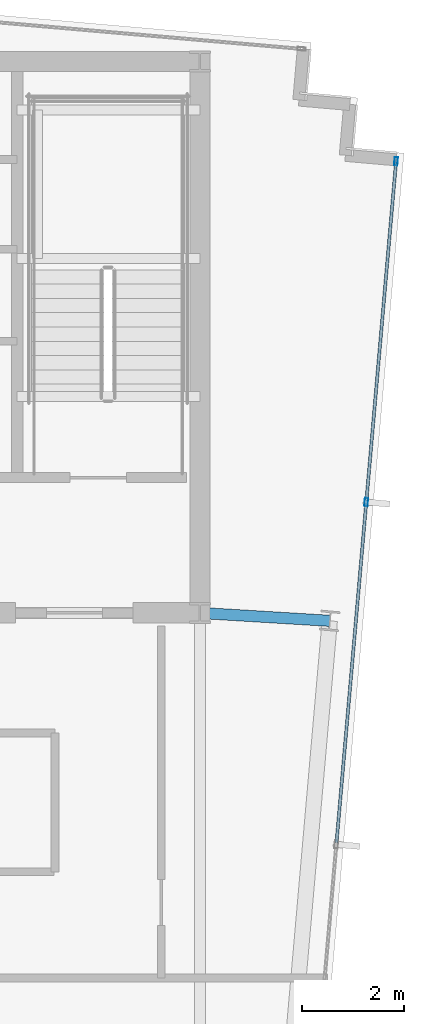
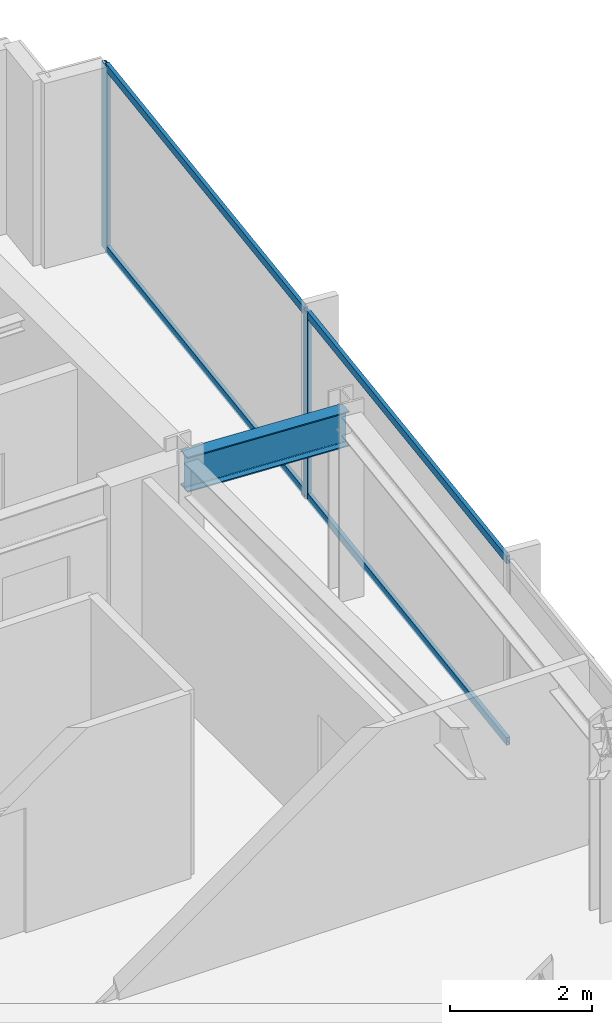
# One storey, part 21 of 32: 6 members, 1 beam, 1 element without a shape of its own.
"""IFC4 building model written with IfcOpenShell, lengths in metres."""

from ifc_helpers import new_model, si_unit, direction, frame, origin, origin_2d, place, context, subcontext, project, spatial, hollow_rectangle, i_section, extrude, material, material_profile, profile_set, type_object, element, aggregate, save


model = new_model("IFC4")

# Units and contexts
model_context = context("Model", 3, precision=1e-05, world=origin(), true_north=direction((0.0, 1.0)))
body_context = subcontext(model_context, "Body", "Model", "MODEL_VIEW")
ifc_project = project(units=[si_unit("LENGTHUNIT", "METRE"), si_unit("AREAUNIT", "SQUARE_METRE"), si_unit("VOLUMEUNIT", "CUBIC_METRE"), si_unit("PLANEANGLEUNIT", "RADIAN"), si_unit("MASSUNIT", "GRAM", prefix="KILO")], contexts=[model_context])

# Site, building, storey
site_placement = place(None, origin())
site = spatial("IfcSite", under=ifc_project, at=site_placement, CompositionType="ELEMENT")
building_placement = place(site_placement, origin())
building = spatial("IfcBuilding", under=site, at=building_placement, Name="Yelkora Congress Tower", CompositionType="ELEMENT")
storey_placement = place(building_placement, frame((0.0, 0.0, 265.89990234375)))
storey = spatial("IfcBuildingStorey", under=building, at=storey_placement, Name="L74", CompositionType="ELEMENT", Elevation=265.89990234375)

# Beam
ifc_material_1 = material(Name="Steel S355J2", Category="steel")
ifc_material_profile_1 = material_profile(ifc_material_1, i_section(OverallWidth=0.219970703125, OverallDepth=0.60009765625, WebThickness=0.011962890625, FlangeThickness=0.01904296875, FilletRadius=0.02392578125, at=origin_2d()), Name="IPE 600")
ifc_profile_set_1 = profile_set([ifc_material_profile_1], Name="Steel S355J2")
beam_type = type_object("IfcBeamType", Name="BM-GIRD-IPE600", PredefinedType="BEAM", material=ifc_profile_set_1)
beam_placement = place(storey_placement, frame((56.302001953125, 35.24560546875, 2.880126953125), z_axis=(-0.99816287892, 0.060587681471, 0.0), x_axis=(-0.060587681471, -0.99816287892, 0.0)))
element("IfcBeam", 1, at=beam_placement, inside=storey, type_object=beam_type, Name="L74 Primary Frame Girder E02", PredefinedType="BEAM", context=body_context, shape_type="SweptSolid", body=[
    extrude(i_section(OverallWidth=0.219970703125, OverallDepth=0.60009765625, WebThickness=0.011962890625, FlangeThickness=0.01904296875, FilletRadius=0.02392578125, at=origin_2d()), origin(), (0.0, 0.0, 1.0), 2.546630859375),
])

# Curtain wall, members
ifc_material_2 = material(Name="Anodised aluminium and insulated glass", Category="aluminium")
curtain_wall_type = type_object("IfcCurtainWallType", Name="CW-SYS-B5", PredefinedType="NOTDEFINED", material=ifc_material_2)
curtain_wall_placement = place(storey_placement, origin())
curtain_wall = element("IfcCurtainWall", 2, at=curtain_wall_placement, inside=storey, type_object=curtain_wall_type, Name="L74 Unitised Curtain Wall 15", PredefinedType="NOTDEFINED")
ifc_material_3 = material(Name="Anodised aluminium 6063-T6", Category="aluminium")
ifc_material_profile_2 = material_profile(ifc_material_3, hollow_rectangle(XDim=0.06494140625, YDim=0.159912109375, WallThickness=0.00390625, at=origin_2d()), Name="ALU 65x160x4")
ifc_profile_set_2 = profile_set([ifc_material_profile_2], Name="Anodised aluminium 6063-T6")
member_type_1 = type_object("IfcMemberType", Name="MEM-ML-B5", PredefinedType="MULLION", material=ifc_profile_set_2)
member_1_placement = place(storey_placement, frame((57.601318359375, 44.243896484375, 0.0), z_axis=(0.0, 0.0, 1.0), x_axis=(0.996194463398, -0.087158425264, 0.0)))
member_1 = element("IfcMember", 3, at=member_1_placement, type_object=member_type_1, Name="CW-B5 mullion 1", PredefinedType="MULLION", context=body_context, shape_type="SweptSolid", body=[
    extrude(hollow_rectangle(XDim=0.06494140625, YDim=0.159912109375, WallThickness=0.00390625, at=origin_2d()), origin(), (0.0, 0.0, 1.0), 3.18017578125),
])
member_2_placement = place(storey_placement, frame((57.017578125, 37.572021484375, 0.0), z_axis=(0.0, 0.0, 1.0), x_axis=(0.996194463398, -0.087158425264, 0.0)))
member_2 = element("IfcMember", 4, at=member_2_placement, type_object=member_type_1, Name="CW-B5 mullion 2", PredefinedType="MULLION", context=body_context, shape_type="SweptSolid", body=[
    extrude(hollow_rectangle(XDim=0.06494140625, YDim=0.159912109375, WallThickness=0.00390625, at=origin_2d()), origin(), (0.0, 0.0, 1.0), 3.18017578125),
])
ifc_material_profile_3 = material_profile(ifc_material_3, hollow_rectangle(XDim=0.06005859375, YDim=0.1298828125, WallThickness=0.00390625, at=origin_2d()), Name="ALU 60x130x4")
ifc_profile_set_3 = profile_set([ifc_material_profile_3], Name="Anodised aluminium 6063-T6")
member_type_2 = type_object("IfcMemberType", Name="MEM-TR-B5", PredefinedType="USERDEFINED", material=ifc_profile_set_3)
member_3_placement = place(storey_placement, frame((57.598388671875, 44.21142578125, 0.030029296875), z_axis=(-0.08716649365, -0.996193757451, 0.0), x_axis=(0.996193757451, -0.08716649365, 0.0)))
member_3 = element("IfcMember", 5, at=member_3_placement, type_object=member_type_2, Name="CW-B5 transom 1.1", ObjectType="TRANSOM", PredefinedType="USERDEFINED", context=body_context, shape_type="SweptSolid", body=[
    extrude(hollow_rectangle(XDim=0.06005859375, YDim=0.1298828125, WallThickness=0.00390625, at=origin_2d()), origin(), (0.0, 0.0, 1.0), 6.63232421875),
])
member_4_placement = place(storey_placement, frame((57.598388671875, 44.21142578125, 3.150146484375), z_axis=(-0.08716649365, -0.996193757451, 0.0), x_axis=(0.996193757451, -0.08716649365, 0.0)))
member_4 = element("IfcMember", 6, at=member_4_placement, type_object=member_type_2, Name="CW-B5 transom 1.2", ObjectType="TRANSOM", PredefinedType="USERDEFINED", context=body_context, shape_type="SweptSolid", body=[
    extrude(hollow_rectangle(XDim=0.06005859375, YDim=0.1298828125, WallThickness=0.00390625, at=origin_2d()), origin(), (0.0, 0.0, 1.0), 6.63232421875),
])
member_5_placement = place(storey_placement, frame((57.0146484375, 37.53955078125, 0.030029296875), z_axis=(-0.087143321513, -0.996195784731, 0.0), x_axis=(0.996195784731, -0.087143321513, 0.0)))
member_5 = element("IfcMember", 7, at=member_5_placement, type_object=member_type_2, Name="CW-B5 transom 2.1", ObjectType="TRANSOM", PredefinedType="USERDEFINED", context=body_context, shape_type="SweptSolid", body=[
    extrude(hollow_rectangle(XDim=0.06005859375, YDim=0.1298828125, WallThickness=0.00390625, at=origin_2d()), origin(), (0.0, 0.0, 1.0), 6.6650390625),
])
member_6_placement = place(storey_placement, frame((57.0146484375, 37.53955078125, 3.150146484375), z_axis=(-0.087143321513, -0.996195784731, 0.0), x_axis=(0.996195784731, -0.087143321513, 0.0)))
member_6 = element("IfcMember", 8, at=member_6_placement, type_object=member_type_2, Name="CW-B5 transom 2.2", ObjectType="TRANSOM", PredefinedType="USERDEFINED", context=body_context, shape_type="SweptSolid", body=[
    extrude(hollow_rectangle(XDim=0.06005859375, YDim=0.1298828125, WallThickness=0.00390625, at=origin_2d()), origin(), (0.0, 0.0, 1.0), 6.6650390625),
])
aggregate(curtain_wall, [member_1, member_2, member_3, member_4, member_5, member_6])

save(model, "model.ifc")
